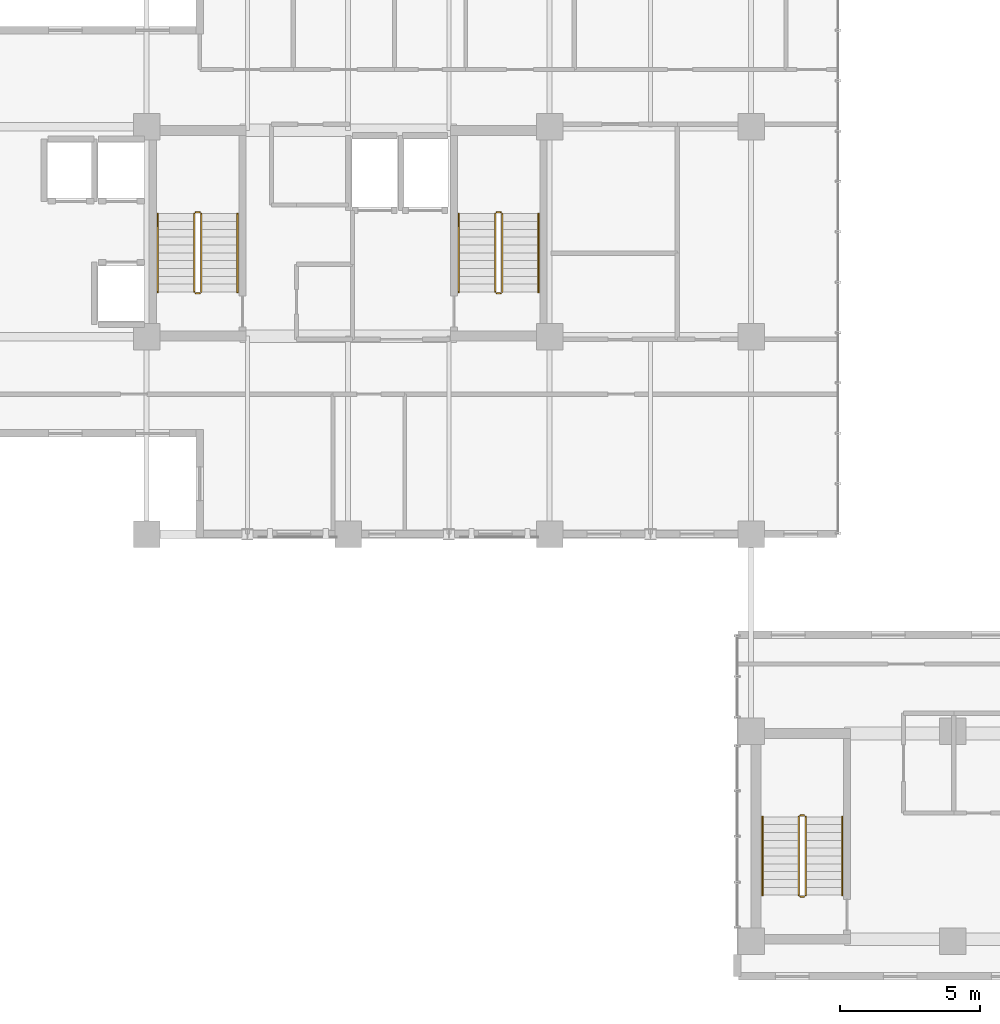
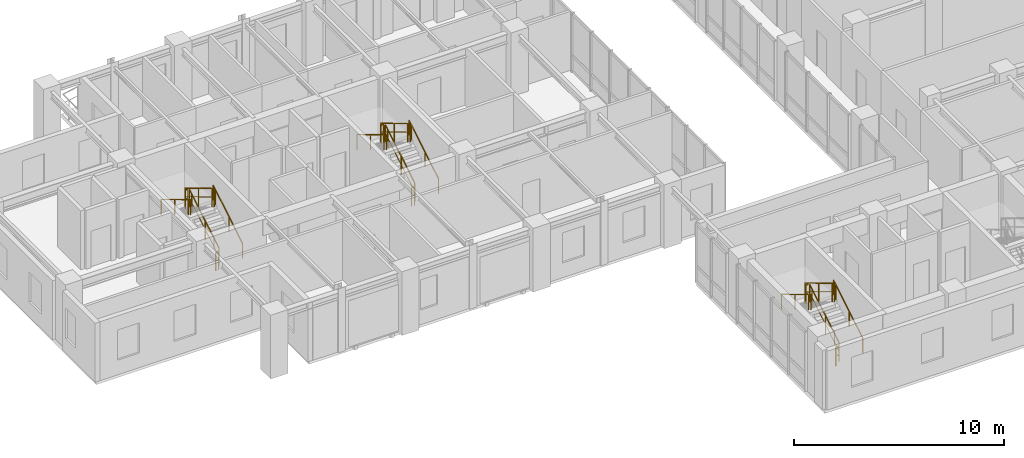
# One storey, part 22 of 24: 18 railings.
"""IFC4 building model written with IfcOpenShell, lengths in metres."""

from ifc_helpers import new_model, si_unit, direction, frame, origin, origin_2d, place, context, subcontext, project, spatial, rectangle, extrude, material, type_object, element, save


model = new_model("IFC4")

# Units and contexts
model_context = context("Model", 3, precision=1e-05, world=origin(), true_north=direction((0.0, 1.0)))
body_context = subcontext(model_context, "Body", "Model", "MODEL_VIEW")
ifc_project = project(units=[si_unit("LENGTHUNIT", "METRE"), si_unit("AREAUNIT", "SQUARE_METRE"), si_unit("VOLUMEUNIT", "CUBIC_METRE"), si_unit("PLANEANGLEUNIT", "RADIAN"), si_unit("MASSUNIT", "GRAM", prefix="KILO")], contexts=[model_context])

# Site, building, storey
site_placement = place(None, origin())
site = spatial("IfcSite", under=ifc_project, at=site_placement, CompositionType="ELEMENT")
building_placement = place(site_placement, origin())
building = spatial("IfcBuilding", under=site, at=building_placement, Name="Kaliganga Portal Commons", CompositionType="ELEMENT")
storey_placement = place(building_placement, frame((0.0, 0.0, 242.5)))
storey = spatial("IfcBuildingStorey", under=building, at=storey_placement, Name="L62", CompositionType="ELEMENT", Elevation=242.5)

# Railings
ifc_material_1 = material(Name="Galvanized Painted Steel Balustrade", Category="steel")
railing_type_1 = type_object("IfcRailingType", Name="RLG-STAIR-GRD", PredefinedType="GUARDRAIL", material=ifc_material_1)
railing_1_placement = place(storey_placement, frame((16.35009765625, 30.25, 0.168212890625)))
element("IfcRailing", 1, at=railing_1_placement, inside=storey, type_object=railing_type_1, Name="L62 ST-A1 stair guard 1", PredefinedType="GUARDRAIL", context=body_context, shape_type="SweptSolid", body=[
    extrude(rectangle(XDim=0.048095703125, YDim=0.048095703125, at=origin_2d()), frame((0.0, 0.0, 1.072021484375), z_axis=(0.0, 0.857242210791, 0.514913383045), x_axis=(-1.0, 0.0, 0.0)), (0.0, 0.0, 1.0), 3.266357421875),
    extrude(rectangle(XDim=0.028076171875, YDim=0.028076171875, at=origin_2d()), frame((0.0, 0.0, 0.572021484375), z_axis=(0.0, 0.857242210791, 0.514913383045), x_axis=(-1.0, 0.0, 0.0)), (0.0, 0.0, 1.0), 3.266357421875),
    extrude(rectangle(XDim=0.0419921875, YDim=0.0419921875, at=origin_2d()), origin(), (0.0, 0.0, 1.0), 1.052001953125),
    extrude(rectangle(XDim=0.0419921875, YDim=0.0419921875, at=origin_2d()), frame((0.0, 1.285888671875, 0.7724609375)), (0.0, 0.0, 1.0), 1.052001953125),
    extrude(rectangle(XDim=0.0419921875, YDim=0.0419921875, at=origin_2d()), frame((0.0, 2.57177734375, 1.544677734375)), (0.0, 0.0, 1.0), 1.052001953125),
    extrude(rectangle(XDim=0.0419921875, YDim=0.0419921875, at=origin_2d()), frame((0.0, 2.800048828125, 1.681884765625)), (0.0, 0.0, 1.0), 1.052001953125),
])
railing_2_placement = place(storey_placement, frame((16.300048828125, 33.10009765625, 1.85009765625)))
element("IfcRailing", 2, at=railing_2_placement, inside=storey, type_object=railing_type_1, Name="L62 ST-A1 stair guard 2", PredefinedType="GUARDRAIL", context=body_context, shape_type="SweptSolid", body=[
    extrude(rectangle(XDim=0.048095703125, YDim=0.048095703125, at=origin_2d()), frame((0.0, 0.0, 1.076171875), z_axis=(-1.0, 0.0, 0.0), x_axis=(0.0, -1.0, 0.0)), (0.0, 0.0, 1.0), 0.150146484375),
    extrude(rectangle(XDim=0.028076171875, YDim=0.028076171875, at=origin_2d()), frame((0.0, 0.0, 0.572021484375), z_axis=(-1.0, 0.0, 0.0), x_axis=(0.0, -1.0, 0.0)), (0.0, 0.0, 1.0), 0.150146484375),
    extrude(rectangle(XDim=0.0419921875, YDim=0.0419921875, at=origin_2d()), origin(), (0.0, 0.0, 1.0), 1.052001953125),
    extrude(rectangle(XDim=0.0419921875, YDim=0.0419921875, at=origin_2d()), frame((-0.150146484375, 0.0, 0.0)), (0.0, 0.0, 1.0), 1.052001953125),
])
railing_3_placement = place(storey_placement, frame((16.10009765625, 33.050048828125, 2.01806640625)))
element("IfcRailing", 3, at=railing_3_placement, inside=storey, type_object=railing_type_1, Name="L62 ST-A1 stair guard 3", PredefinedType="GUARDRAIL", context=body_context, shape_type="SweptSolid", body=[
    extrude(rectangle(XDim=0.048095703125, YDim=0.048095703125, at=origin_2d()), frame((0.0, 0.0, 1.072021484375), z_axis=(0.0, -0.857242210791, 0.514913383045), x_axis=(1.0, 0.0, 0.0)), (0.0, 0.0, 1.0), 3.266357421875),
    extrude(rectangle(XDim=0.028076171875, YDim=0.028076171875, at=origin_2d()), frame((0.0, 0.0, 0.572021484375), z_axis=(0.0, -0.857242210791, 0.514913383045), x_axis=(1.0, 0.0, 0.0)), (0.0, 0.0, 1.0), 3.266357421875),
    extrude(rectangle(XDim=0.0419921875, YDim=0.0419921875, at=origin_2d()), origin(), (0.0, 0.0, 1.0), 1.052001953125),
    extrude(rectangle(XDim=0.0419921875, YDim=0.0419921875, at=origin_2d()), frame((0.0, -1.285888671875, 0.7724609375)), (0.0, 0.0, 1.0), 1.052001953125),
    extrude(rectangle(XDim=0.0419921875, YDim=0.0419921875, at=origin_2d()), frame((0.0, -2.57177734375, 1.544677734375)), (0.0, 0.0, 1.0), 1.052001953125),
    extrude(rectangle(XDim=0.0419921875, YDim=0.0419921875, at=origin_2d()), frame((0.0, -2.800048828125, 1.681884765625)), (0.0, 0.0, 1.0), 1.052001953125),
])
railing_4_placement = place(storey_placement, frame((16.300048828125, 30.199951171875, 0.0)))
element("IfcRailing", 4, at=railing_4_placement, inside=storey, type_object=railing_type_1, Name="L62 ST-A1 stair guard 4", PredefinedType="GUARDRAIL", context=body_context, shape_type="SweptSolid", body=[
    extrude(rectangle(XDim=0.048095703125, YDim=0.048095703125, at=origin_2d()), frame((0.0, 0.0, 1.076171875), z_axis=(-1.0, 0.0, 0.0), x_axis=(0.0, -1.0, 0.0)), (0.0, 0.0, 1.0), 0.150146484375),
    extrude(rectangle(XDim=0.028076171875, YDim=0.028076171875, at=origin_2d()), frame((0.0, 0.0, 0.572021484375), z_axis=(-1.0, 0.0, 0.0), x_axis=(0.0, -1.0, 0.0)), (0.0, 0.0, 1.0), 0.150146484375),
    extrude(rectangle(XDim=0.0419921875, YDim=0.0419921875, at=origin_2d()), origin(), (0.0, 0.0, 1.0), 1.052001953125),
    extrude(rectangle(XDim=0.0419921875, YDim=0.0419921875, at=origin_2d()), frame((-0.150146484375, 0.0, 0.0)), (0.0, 0.0, 1.0), 1.052001953125),
])
railing_5_placement = place(storey_placement, frame((27.10009765625, 30.25, 0.168212890625)))
element("IfcRailing", 5, at=railing_5_placement, inside=storey, type_object=railing_type_1, Name="L62 ST-A2 stair guard 1", PredefinedType="GUARDRAIL", context=body_context, shape_type="SweptSolid", body=[
    extrude(rectangle(XDim=0.048095703125, YDim=0.048095703125, at=origin_2d()), frame((0.0, 0.0, 1.072021484375), z_axis=(0.0, 0.857242210791, 0.514913383045), x_axis=(-1.0, 0.0, 0.0)), (0.0, 0.0, 1.0), 3.266357421875),
    extrude(rectangle(XDim=0.028076171875, YDim=0.028076171875, at=origin_2d()), frame((0.0, 0.0, 0.572021484375), z_axis=(0.0, 0.857242210791, 0.514913383045), x_axis=(-1.0, 0.0, 0.0)), (0.0, 0.0, 1.0), 3.266357421875),
    extrude(rectangle(XDim=0.0419921875, YDim=0.0419921875, at=origin_2d()), origin(), (0.0, 0.0, 1.0), 1.052001953125),
    extrude(rectangle(XDim=0.0419921875, YDim=0.0419921875, at=origin_2d()), frame((0.0, 1.285888671875, 0.7724609375)), (0.0, 0.0, 1.0), 1.052001953125),
    extrude(rectangle(XDim=0.0419921875, YDim=0.0419921875, at=origin_2d()), frame((0.0, 2.57177734375, 1.544677734375)), (0.0, 0.0, 1.0), 1.052001953125),
    extrude(rectangle(XDim=0.0419921875, YDim=0.0419921875, at=origin_2d()), frame((0.0, 2.800048828125, 1.681884765625)), (0.0, 0.0, 1.0), 1.052001953125),
])
railing_6_placement = place(storey_placement, frame((27.050048828125, 33.10009765625, 1.85009765625)))
element("IfcRailing", 6, at=railing_6_placement, inside=storey, type_object=railing_type_1, Name="L62 ST-A2 stair guard 2", PredefinedType="GUARDRAIL", context=body_context, shape_type="SweptSolid", body=[
    extrude(rectangle(XDim=0.048095703125, YDim=0.048095703125, at=origin_2d()), frame((0.0, 0.0, 1.076171875), z_axis=(-1.0, 0.0, 0.0), x_axis=(0.0, -1.0, 0.0)), (0.0, 0.0, 1.0), 0.150146484375),
    extrude(rectangle(XDim=0.028076171875, YDim=0.028076171875, at=origin_2d()), frame((0.0, 0.0, 0.572021484375), z_axis=(-1.0, 0.0, 0.0), x_axis=(0.0, -1.0, 0.0)), (0.0, 0.0, 1.0), 0.150146484375),
    extrude(rectangle(XDim=0.0419921875, YDim=0.0419921875, at=origin_2d()), origin(), (0.0, 0.0, 1.0), 1.052001953125),
    extrude(rectangle(XDim=0.0419921875, YDim=0.0419921875, at=origin_2d()), frame((-0.150146484375, 0.0, 0.0)), (0.0, 0.0, 1.0), 1.052001953125),
])
railing_7_placement = place(storey_placement, frame((26.85009765625, 33.050048828125, 2.01806640625)))
element("IfcRailing", 7, at=railing_7_placement, inside=storey, type_object=railing_type_1, Name="L62 ST-A2 stair guard 3", PredefinedType="GUARDRAIL", context=body_context, shape_type="SweptSolid", body=[
    extrude(rectangle(XDim=0.048095703125, YDim=0.048095703125, at=origin_2d()), frame((0.0, 0.0, 1.072021484375), z_axis=(0.0, -0.857242210791, 0.514913383045), x_axis=(1.0, 0.0, 0.0)), (0.0, 0.0, 1.0), 3.266357421875),
    extrude(rectangle(XDim=0.028076171875, YDim=0.028076171875, at=origin_2d()), frame((0.0, 0.0, 0.572021484375), z_axis=(0.0, -0.857242210791, 0.514913383045), x_axis=(1.0, 0.0, 0.0)), (0.0, 0.0, 1.0), 3.266357421875),
    extrude(rectangle(XDim=0.0419921875, YDim=0.0419921875, at=origin_2d()), origin(), (0.0, 0.0, 1.0), 1.052001953125),
    extrude(rectangle(XDim=0.0419921875, YDim=0.0419921875, at=origin_2d()), frame((0.0, -1.285888671875, 0.7724609375)), (0.0, 0.0, 1.0), 1.052001953125),
    extrude(rectangle(XDim=0.0419921875, YDim=0.0419921875, at=origin_2d()), frame((0.0, -2.57177734375, 1.544677734375)), (0.0, 0.0, 1.0), 1.052001953125),
    extrude(rectangle(XDim=0.0419921875, YDim=0.0419921875, at=origin_2d()), frame((0.0, -2.800048828125, 1.681884765625)), (0.0, 0.0, 1.0), 1.052001953125),
])
railing_8_placement = place(storey_placement, frame((27.050048828125, 30.199951171875, 0.0)))
element("IfcRailing", 8, at=railing_8_placement, inside=storey, type_object=railing_type_1, Name="L62 ST-A2 stair guard 4", PredefinedType="GUARDRAIL", context=body_context, shape_type="SweptSolid", body=[
    extrude(rectangle(XDim=0.048095703125, YDim=0.048095703125, at=origin_2d()), frame((0.0, 0.0, 1.076171875), z_axis=(-1.0, 0.0, 0.0), x_axis=(0.0, -1.0, 0.0)), (0.0, 0.0, 1.0), 0.150146484375),
    extrude(rectangle(XDim=0.028076171875, YDim=0.028076171875, at=origin_2d()), frame((0.0, 0.0, 0.572021484375), z_axis=(-1.0, 0.0, 0.0), x_axis=(0.0, -1.0, 0.0)), (0.0, 0.0, 1.0), 0.150146484375),
    extrude(rectangle(XDim=0.0419921875, YDim=0.0419921875, at=origin_2d()), origin(), (0.0, 0.0, 1.0), 1.052001953125),
    extrude(rectangle(XDim=0.0419921875, YDim=0.0419921875, at=origin_2d()), frame((-0.150146484375, 0.0, 0.0)), (0.0, 0.0, 1.0), 1.052001953125),
])
railing_9_placement = place(storey_placement, frame((37.949951171875, 8.699951171875, 0.168212890625)))
element("IfcRailing", 9, at=railing_9_placement, inside=storey, type_object=railing_type_1, Name="L62 ST-B1 stair guard 1", PredefinedType="GUARDRAIL", context=body_context, shape_type="SweptSolid", body=[
    extrude(rectangle(XDim=0.048095703125, YDim=0.048095703125, at=origin_2d()), frame((0.0, 0.0, 1.072021484375), z_axis=(0.0, 0.857242210791, 0.514913383045), x_axis=(-1.0, 0.0, 0.0)), (0.0, 0.0, 1.0), 3.266357421875),
    extrude(rectangle(XDim=0.028076171875, YDim=0.028076171875, at=origin_2d()), frame((0.0, 0.0, 0.572021484375), z_axis=(0.0, 0.857242210791, 0.514913383045), x_axis=(-1.0, 0.0, 0.0)), (0.0, 0.0, 1.0), 3.266357421875),
    extrude(rectangle(XDim=0.0419921875, YDim=0.0419921875, at=origin_2d()), origin(), (0.0, 0.0, 1.0), 1.052001953125),
    extrude(rectangle(XDim=0.0419921875, YDim=0.0419921875, at=origin_2d()), frame((0.0, 1.285888671875, 0.7724609375)), (0.0, 0.0, 1.0), 1.052001953125),
    extrude(rectangle(XDim=0.0419921875, YDim=0.0419921875, at=origin_2d()), frame((0.0, 2.57177734375, 1.544677734375)), (0.0, 0.0, 1.0), 1.052001953125),
    extrude(rectangle(XDim=0.0419921875, YDim=0.0419921875, at=origin_2d()), frame((0.0, 2.800048828125, 1.681884765625)), (0.0, 0.0, 1.0), 1.052001953125),
])
railing_10_placement = place(storey_placement, frame((37.89990234375, 11.550048828125, 1.85009765625)))
element("IfcRailing", 10, at=railing_10_placement, inside=storey, type_object=railing_type_1, Name="L62 ST-B1 stair guard 2", PredefinedType="GUARDRAIL", context=body_context, shape_type="SweptSolid", body=[
    extrude(rectangle(XDim=0.048095703125, YDim=0.048095703125, at=origin_2d()), frame((0.0, 0.0, 1.076171875), z_axis=(-1.0, 0.0, 0.0), x_axis=(0.0, -1.0, 0.0)), (0.0, 0.0, 1.0), 0.14990234375),
    extrude(rectangle(XDim=0.028076171875, YDim=0.028076171875, at=origin_2d()), frame((0.0, 0.0, 0.572021484375), z_axis=(-1.0, 0.0, 0.0), x_axis=(0.0, -1.0, 0.0)), (0.0, 0.0, 1.0), 0.14990234375),
    extrude(rectangle(XDim=0.0419921875, YDim=0.0419921875, at=origin_2d()), frame((-0.14990234375, 0.0, 0.0)), (0.0, 0.0, 1.0), 1.052001953125),
])
railing_11_placement = place(storey_placement, frame((37.699951171875, 11.5, 2.01806640625)))
element("IfcRailing", 11, at=railing_11_placement, inside=storey, type_object=railing_type_1, Name="L62 ST-B1 stair guard 3", PredefinedType="GUARDRAIL", context=body_context, shape_type="SweptSolid", body=[
    extrude(rectangle(XDim=0.048095703125, YDim=0.048095703125, at=origin_2d()), frame((0.0, 0.0, 1.072021484375), z_axis=(0.0, -0.857242210791, 0.514913383045), x_axis=(1.0, 0.0, 0.0)), (0.0, 0.0, 1.0), 3.266357421875),
    extrude(rectangle(XDim=0.028076171875, YDim=0.028076171875, at=origin_2d()), frame((0.0, 0.0, 0.572021484375), z_axis=(0.0, -0.857242210791, 0.514913383045), x_axis=(1.0, 0.0, 0.0)), (0.0, 0.0, 1.0), 3.266357421875),
    extrude(rectangle(XDim=0.0419921875, YDim=0.0419921875, at=origin_2d()), origin(), (0.0, 0.0, 1.0), 1.052001953125),
    extrude(rectangle(XDim=0.0419921875, YDim=0.0419921875, at=origin_2d()), frame((0.0, -1.285888671875, 0.7724609375)), (0.0, 0.0, 1.0), 1.052001953125),
    extrude(rectangle(XDim=0.0419921875, YDim=0.0419921875, at=origin_2d()), frame((0.0, -2.57177734375, 1.544677734375)), (0.0, 0.0, 1.0), 1.052001953125),
    extrude(rectangle(XDim=0.0419921875, YDim=0.0419921875, at=origin_2d()), frame((0.0, -2.800048828125, 1.681884765625)), (0.0, 0.0, 1.0), 1.052001953125),
])
railing_12_placement = place(storey_placement, frame((37.89990234375, 8.64990234375, 0.0)))
element("IfcRailing", 12, at=railing_12_placement, inside=storey, type_object=railing_type_1, Name="L62 ST-B1 stair guard 4", PredefinedType="GUARDRAIL", context=body_context, shape_type="SweptSolid", body=[
    extrude(rectangle(XDim=0.048095703125, YDim=0.048095703125, at=origin_2d()), frame((0.0, 0.0, 1.076171875), z_axis=(-1.0, 0.0, 0.0), x_axis=(0.0, -1.0, 0.0)), (0.0, 0.0, 1.0), 0.14990234375),
    extrude(rectangle(XDim=0.028076171875, YDim=0.028076171875, at=origin_2d()), frame((0.0, 0.0, 0.572021484375), z_axis=(-1.0, 0.0, 0.0), x_axis=(0.0, -1.0, 0.0)), (0.0, 0.0, 1.0), 0.14990234375),
    extrude(rectangle(XDim=0.0419921875, YDim=0.0419921875, at=origin_2d()), frame((-0.14990234375, 0.0, 0.0)), (0.0, 0.0, 1.0), 1.052001953125),
])
ifc_material_2 = material(Name="Brushed Stainless Steel 316", Category="steel")
railing_type_2 = type_object("IfcRailingType", Name="RLG-STAIR-HR", PredefinedType="HANDRAIL", material=ifc_material_2)
railing_13_placement = place(storey_placement, frame((17.64990234375, 30.25, 0.168212890625)))
element("IfcRailing", 13, at=railing_13_placement, inside=storey, type_object=railing_type_2, Name="L62 ST-A1 stair handrail 1", PredefinedType="HANDRAIL", context=body_context, shape_type="SweptSolid", body=[
    extrude(rectangle(XDim=0.048095703125, YDim=0.048095703125, at=origin_2d()), frame((0.0, 0.0, 0.871826171875), z_axis=(0.0, 0.857242210791, 0.514913383045), x_axis=(-1.0, 0.0, 0.0)), (0.0, 0.0, 1.0), 3.266357421875),
    extrude(rectangle(XDim=0.0419921875, YDim=0.0419921875, at=origin_2d()), origin(), (0.0, 0.0, 1.0), 0.851806640625),
    extrude(rectangle(XDim=0.0419921875, YDim=0.0419921875, at=origin_2d()), frame((0.0, 1.285888671875, 0.7724609375)), (0.0, 0.0, 1.0), 0.851806640625),
    extrude(rectangle(XDim=0.0419921875, YDim=0.0419921875, at=origin_2d()), frame((0.0, 2.57177734375, 1.544677734375)), (0.0, 0.0, 1.0), 0.851806640625),
    extrude(rectangle(XDim=0.0419921875, YDim=0.0419921875, at=origin_2d()), frame((0.0, 2.800048828125, 1.681884765625)), (0.0, 0.0, 1.0), 0.851806640625),
])
railing_14_placement = place(storey_placement, frame((14.800048828125, 33.050048828125, 2.01806640625)))
element("IfcRailing", 14, at=railing_14_placement, inside=storey, type_object=railing_type_2, Name="L62 ST-A1 stair handrail 2", PredefinedType="HANDRAIL", context=body_context, shape_type="SweptSolid", body=[
    extrude(rectangle(XDim=0.048095703125, YDim=0.048095703125, at=origin_2d()), frame((0.0, 0.0, 0.871826171875), z_axis=(0.0, -0.857242210791, 0.514913383045), x_axis=(1.0, 0.0, 0.0)), (0.0, 0.0, 1.0), 3.266357421875),
    extrude(rectangle(XDim=0.0419921875, YDim=0.0419921875, at=origin_2d()), origin(), (0.0, 0.0, 1.0), 0.851806640625),
    extrude(rectangle(XDim=0.0419921875, YDim=0.0419921875, at=origin_2d()), frame((0.0, -1.285888671875, 0.7724609375)), (0.0, 0.0, 1.0), 0.851806640625),
    extrude(rectangle(XDim=0.0419921875, YDim=0.0419921875, at=origin_2d()), frame((0.0, -2.57177734375, 1.544677734375)), (0.0, 0.0, 1.0), 0.851806640625),
    extrude(rectangle(XDim=0.0419921875, YDim=0.0419921875, at=origin_2d()), frame((0.0, -2.800048828125, 1.681884765625)), (0.0, 0.0, 1.0), 0.851806640625),
])
railing_15_placement = place(storey_placement, frame((28.39990234375, 30.25, 0.168212890625)))
element("IfcRailing", 15, at=railing_15_placement, inside=storey, type_object=railing_type_2, Name="L62 ST-A2 stair handrail 1", PredefinedType="HANDRAIL", context=body_context, shape_type="SweptSolid", body=[
    extrude(rectangle(XDim=0.048095703125, YDim=0.048095703125, at=origin_2d()), frame((0.0, 0.0, 0.871826171875), z_axis=(0.0, 0.857242210791, 0.514913383045), x_axis=(-1.0, 0.0, 0.0)), (0.0, 0.0, 1.0), 3.266357421875),
    extrude(rectangle(XDim=0.0419921875, YDim=0.0419921875, at=origin_2d()), origin(), (0.0, 0.0, 1.0), 0.851806640625),
    extrude(rectangle(XDim=0.0419921875, YDim=0.0419921875, at=origin_2d()), frame((0.0, 1.285888671875, 0.7724609375)), (0.0, 0.0, 1.0), 0.851806640625),
    extrude(rectangle(XDim=0.0419921875, YDim=0.0419921875, at=origin_2d()), frame((0.0, 2.57177734375, 1.544677734375)), (0.0, 0.0, 1.0), 0.851806640625),
    extrude(rectangle(XDim=0.0419921875, YDim=0.0419921875, at=origin_2d()), frame((0.0, 2.800048828125, 1.681884765625)), (0.0, 0.0, 1.0), 0.851806640625),
])
railing_16_placement = place(storey_placement, frame((25.550048828125, 33.050048828125, 2.01806640625)))
element("IfcRailing", 16, at=railing_16_placement, inside=storey, type_object=railing_type_2, Name="L62 ST-A2 stair handrail 2", PredefinedType="HANDRAIL", context=body_context, shape_type="SweptSolid", body=[
    extrude(rectangle(XDim=0.048095703125, YDim=0.048095703125, at=origin_2d()), frame((0.0, 0.0, 0.871826171875), z_axis=(0.0, -0.857242210791, 0.514913383045), x_axis=(1.0, 0.0, 0.0)), (0.0, 0.0, 1.0), 3.266357421875),
    extrude(rectangle(XDim=0.0419921875, YDim=0.0419921875, at=origin_2d()), origin(), (0.0, 0.0, 1.0), 0.851806640625),
    extrude(rectangle(XDim=0.0419921875, YDim=0.0419921875, at=origin_2d()), frame((0.0, -1.285888671875, 0.7724609375)), (0.0, 0.0, 1.0), 0.851806640625),
    extrude(rectangle(XDim=0.0419921875, YDim=0.0419921875, at=origin_2d()), frame((0.0, -2.57177734375, 1.544677734375)), (0.0, 0.0, 1.0), 0.851806640625),
    extrude(rectangle(XDim=0.0419921875, YDim=0.0419921875, at=origin_2d()), frame((0.0, -2.800048828125, 1.681884765625)), (0.0, 0.0, 1.0), 0.851806640625),
])
railing_17_placement = place(storey_placement, frame((39.25, 8.699951171875, 0.168212890625)))
element("IfcRailing", 17, at=railing_17_placement, inside=storey, type_object=railing_type_2, Name="L62 ST-B1 stair handrail 1", PredefinedType="HANDRAIL", context=body_context, shape_type="SweptSolid", body=[
    extrude(rectangle(XDim=0.048095703125, YDim=0.048095703125, at=origin_2d()), frame((0.0, 0.0, 0.871826171875), z_axis=(0.0, 0.857242210791, 0.514913383045), x_axis=(-1.0, 0.0, 0.0)), (0.0, 0.0, 1.0), 3.266357421875),
    extrude(rectangle(XDim=0.0419921875, YDim=0.0419921875, at=origin_2d()), origin(), (0.0, 0.0, 1.0), 0.851806640625),
    extrude(rectangle(XDim=0.0419921875, YDim=0.0419921875, at=origin_2d()), frame((0.0, 1.285888671875, 0.7724609375)), (0.0, 0.0, 1.0), 0.851806640625),
    extrude(rectangle(XDim=0.0419921875, YDim=0.0419921875, at=origin_2d()), frame((0.0, 2.57177734375, 1.544677734375)), (0.0, 0.0, 1.0), 0.851806640625),
    extrude(rectangle(XDim=0.0419921875, YDim=0.0419921875, at=origin_2d()), frame((0.0, 2.800048828125, 1.681884765625)), (0.0, 0.0, 1.0), 0.851806640625),
])
railing_18_placement = place(storey_placement, frame((36.39990234375, 11.5, 2.01806640625)))
element("IfcRailing", 18, at=railing_18_placement, inside=storey, type_object=railing_type_2, Name="L62 ST-B1 stair handrail 2", PredefinedType="HANDRAIL", context=body_context, shape_type="SweptSolid", body=[
    extrude(rectangle(XDim=0.048095703125, YDim=0.048095703125, at=origin_2d()), frame((0.0, 0.0, 0.871826171875), z_axis=(0.0, -0.857242210791, 0.514913383045), x_axis=(1.0, 0.0, 0.0)), (0.0, 0.0, 1.0), 3.266357421875),
    extrude(rectangle(XDim=0.0419921875, YDim=0.0419921875, at=origin_2d()), origin(), (0.0, 0.0, 1.0), 0.851806640625),
    extrude(rectangle(XDim=0.0419921875, YDim=0.0419921875, at=origin_2d()), frame((0.0, -1.285888671875, 0.7724609375)), (0.0, 0.0, 1.0), 0.851806640625),
    extrude(rectangle(XDim=0.0419921875, YDim=0.0419921875, at=origin_2d()), frame((0.0, -2.57177734375, 1.544677734375)), (0.0, 0.0, 1.0), 0.851806640625),
    extrude(rectangle(XDim=0.0419921875, YDim=0.0419921875, at=origin_2d()), frame((0.0, -2.800048828125, 1.681884765625)), (0.0, 0.0, 1.0), 0.851806640625),
])

save(model, "model.ifc")
